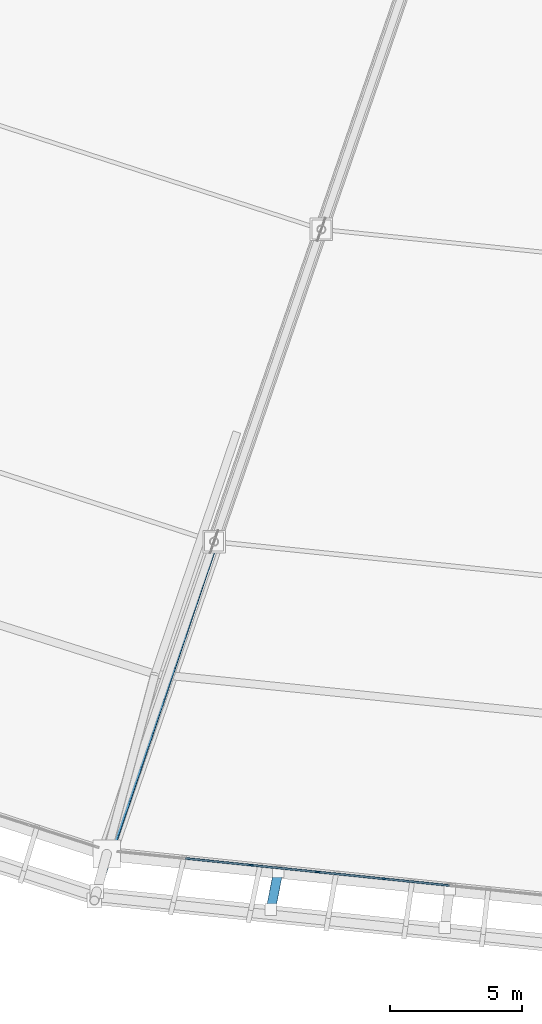
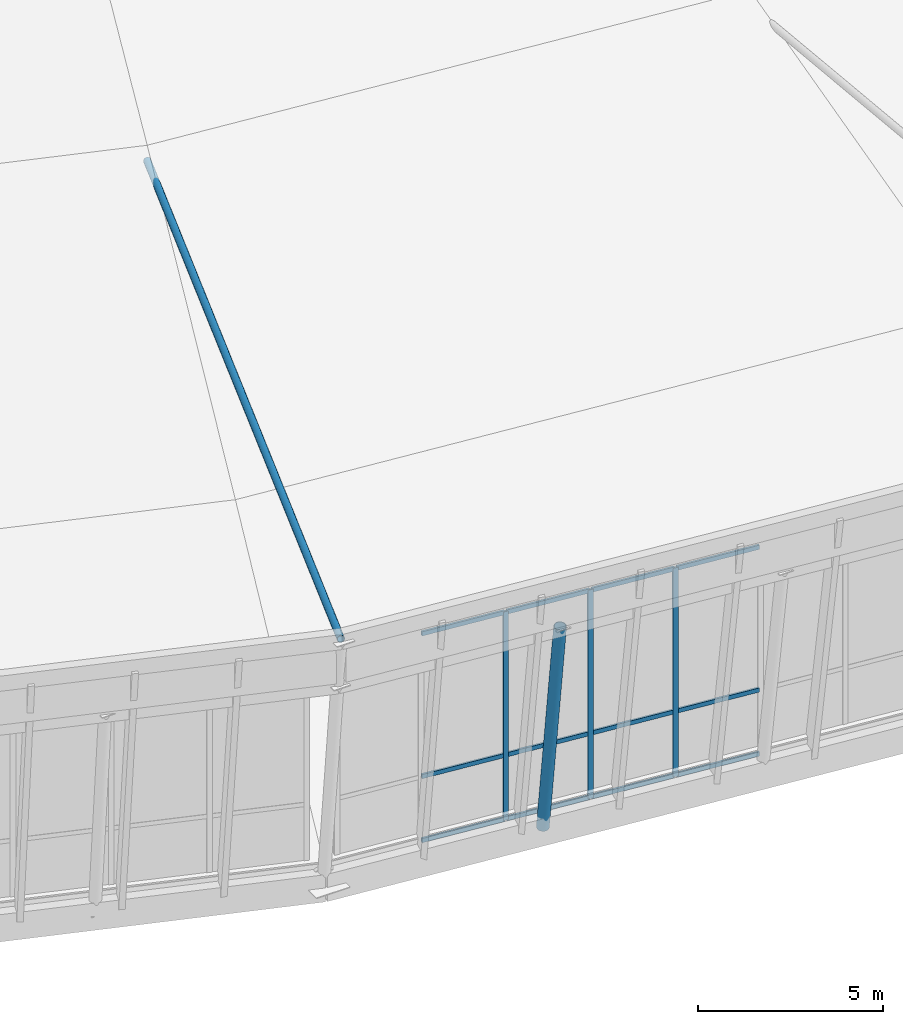
# One storey, part 13 of 115: 17 members, 1 element without a shape of its own.
"""IFC4 building model written with IfcOpenShell, lengths in metres."""

from ifc_helpers import new_model, si_unit, direction, frame, origin, origin_2d, place, context, subcontext, project, spatial, rectangle, hollow_circle, extrude, material, material_profile, profile_set, type_object, element, aggregate, save


model = new_model("IFC4")

# Units and contexts
model_context = context("Model", 3, precision=1e-05, world=origin(), true_north=direction((0.0, 1.0)))
body_context = subcontext(model_context, "Body", "Model", "MODEL_VIEW")
ifc_project = project(units=[si_unit("LENGTHUNIT", "METRE"), si_unit("AREAUNIT", "SQUARE_METRE"), si_unit("VOLUMEUNIT", "CUBIC_METRE"), si_unit("PLANEANGLEUNIT", "RADIAN"), si_unit("MASSUNIT", "GRAM", prefix="KILO")], contexts=[model_context])

# Site, building, storey
site_placement = place(None, origin())
site = spatial("IfcSite", under=ifc_project, at=site_placement, CompositionType="ELEMENT")
building_placement = place(site_placement, origin())
building = spatial("IfcBuilding", under=site, at=building_placement, Name="Zlatoyarsky Gate Stadium", CompositionType="ELEMENT")
storey_placement = place(building_placement, frame((0.0, 0.0, 31.800048828125)))
storey = spatial("IfcBuildingStorey", under=building, at=storey_placement, Name="RF", CompositionType="ELEMENT", Elevation=31.800048828125)

# Curtain wall, members
ifc_material_1 = material(Name="Thermally broken anodised aluminium curtain wall", Category="aluminium")
curtain_wall_type = type_object("IfcCurtainWallType", Name="UNITISED SKYBOX RING GLAZING L05", PredefinedType="USERDEFINED", material=ifc_material_1)
curtain_wall_placement = place(storey_placement, origin())
curtain_wall = element("IfcCurtainWall", 1, at=curtain_wall_placement, inside=storey, type_object=curtain_wall_type, Name="Curtain wall CW-RF-17", ObjectType="UNITISED GLAZING", PredefinedType="USERDEFINED")
ifc_material_2 = material(Name="Anodised aluminium 6063-T6", Category="aluminium")
ifc_material_profile_1 = material_profile(ifc_material_2, rectangle(XDim=0.06494140625, YDim=0.159912109375, at=origin_2d()), Name="ALU 65X160")
ifc_profile_set_1 = profile_set([ifc_material_profile_1], Name="Anodised aluminium 6063-T6")
member_type_1 = type_object("IfcMemberType", Name="ALUMINIUM MULLION 65X160", PredefinedType="MULLION", material=ifc_profile_set_1)
member_1_placement = place(storey_placement, frame((90.556396484375, 4.211181640625, 0.0), z_axis=(0.0, 0.0, 1.0), x_axis=(0.102125168703, 0.994771556649, 0.0)))
member_1 = element("IfcMember", 2, at=member_1_placement, type_object=member_type_1, Name="CW-UG5 mullion 3", PredefinedType="MULLION", context=body_context, shape_type="SweptSolid", body=[
    extrude(rectangle(XDim=0.06494140625, YDim=0.159912109375, at=origin_2d()), origin(), (0.0, 0.0, 1.0), 6.89990234375),
])
member_2_placement = place(storey_placement, frame((93.062255859375, 3.953857421875, 0.0), z_axis=(0.0, 0.0, 1.0), x_axis=(0.102125168703, 0.994771556649, 0.0)))
member_2 = element("IfcMember", 3, at=member_2_placement, type_object=member_type_1, Name="CW-UG5 mullion 4", PredefinedType="MULLION", context=body_context, shape_type="SweptSolid", body=[
    extrude(rectangle(XDim=0.06494140625, YDim=0.159912109375, at=origin_2d()), origin(), (0.0, 0.0, 1.0), 6.89990234375),
])
member_3_placement = place(storey_placement, frame((95.56787109375, 3.696533203125, 0.0), z_axis=(0.0, 0.0, 1.0), x_axis=(0.102125168703, 0.994771556649, 0.0)))
member_3 = element("IfcMember", 4, at=member_3_placement, type_object=member_type_1, Name="CW-UG5 mullion 5", PredefinedType="MULLION", context=body_context, shape_type="SweptSolid", body=[
    extrude(rectangle(XDim=0.06494140625, YDim=0.159912109375, at=origin_2d()), origin(), (0.0, 0.0, 1.0), 6.89990234375),
])
ifc_material_profile_2 = material_profile(ifc_material_2, rectangle(XDim=0.06494140625, YDim=0.139892578125, at=origin_2d()), Name="ALU 65X140")
ifc_profile_set_2 = profile_set([ifc_material_profile_2], Name="Anodised aluminium 6063-T6")
member_type_2 = type_object("IfcMemberType", Name="ALUMINIUM TRANSOM 65X140", PredefinedType="USERDEFINED", material=ifc_profile_set_2)
member_4_placement = place(storey_placement, frame((88.083251953125, 4.465087890625, 0.032470703125), z_axis=(0.994765631546, -0.102182866933, 0.0), x_axis=(0.102182866933, 0.994765631546, 0.0)))
member_4 = element("IfcMember", 5, at=member_4_placement, type_object=member_type_2, Name="CW-UG5 transom 2.1", ObjectType="TRANSOM", PredefinedType="USERDEFINED", context=body_context, shape_type="SweptSolid", body=[
    extrude(rectangle(XDim=0.06494140625, YDim=0.139892578125, at=origin_2d()), origin(), (0.0, 0.0, 1.0), 2.453857421875),
])
member_5_placement = place(storey_placement, frame((88.083251953125, 4.465087890625, 2.14990234375), z_axis=(0.994765631546, -0.102182866933, 0.0), x_axis=(0.102182866933, 0.994765631546, 0.0)))
member_5 = element("IfcMember", 6, at=member_5_placement, type_object=member_type_2, Name="CW-UG5 transom 2.2", ObjectType="TRANSOM", PredefinedType="USERDEFINED", context=body_context, shape_type="SweptSolid", body=[
    extrude(rectangle(XDim=0.06494140625, YDim=0.139892578125, at=origin_2d()), origin(), (0.0, 0.0, 1.0), 2.453857421875),
])
member_6_placement = place(storey_placement, frame((88.083251953125, 4.465087890625, 6.867431640625), z_axis=(0.994765631546, -0.102182866933, 0.0), x_axis=(0.102182866933, 0.994765631546, 0.0)))
member_6 = element("IfcMember", 7, at=member_6_placement, type_object=member_type_2, Name="CW-UG5 transom 2.3", ObjectType="TRANSOM", PredefinedType="USERDEFINED", context=body_context, shape_type="SweptSolid", body=[
    extrude(rectangle(XDim=0.06494140625, YDim=0.139892578125, at=origin_2d()), origin(), (0.0, 0.0, 1.0), 2.453857421875),
])
member_7_placement = place(storey_placement, frame((90.5888671875, 4.207763671875, 0.032470703125), z_axis=(0.994775740393, -0.102084407846, 0.0), x_axis=(0.102084407846, 0.994775740393, 0.0)))
member_7 = element("IfcMember", 8, at=member_7_placement, type_object=member_type_2, Name="CW-UG5 transom 3.1", ObjectType="TRANSOM", PredefinedType="USERDEFINED", context=body_context, shape_type="SweptSolid", body=[
    extrude(rectangle(XDim=0.06494140625, YDim=0.139892578125, at=origin_2d()), origin(), (0.0, 0.0, 1.0), 2.453857421875),
])
member_8_placement = place(storey_placement, frame((90.5888671875, 4.207763671875, 2.14990234375), z_axis=(0.994775740393, -0.102084407846, 0.0), x_axis=(0.102084407846, 0.994775740393, 0.0)))
member_8 = element("IfcMember", 9, at=member_8_placement, type_object=member_type_2, Name="CW-UG5 transom 3.2", ObjectType="TRANSOM", PredefinedType="USERDEFINED", context=body_context, shape_type="SweptSolid", body=[
    extrude(rectangle(XDim=0.06494140625, YDim=0.139892578125, at=origin_2d()), origin(), (0.0, 0.0, 1.0), 2.453857421875),
])
member_9_placement = place(storey_placement, frame((90.5888671875, 4.207763671875, 6.867431640625), z_axis=(0.994775740393, -0.102084407846, 0.0), x_axis=(0.102084407846, 0.994775740393, 0.0)))
member_9 = element("IfcMember", 10, at=member_9_placement, type_object=member_type_2, Name="CW-UG5 transom 3.3", ObjectType="TRANSOM", PredefinedType="USERDEFINED", context=body_context, shape_type="SweptSolid", body=[
    extrude(rectangle(XDim=0.06494140625, YDim=0.139892578125, at=origin_2d()), origin(), (0.0, 0.0, 1.0), 2.453857421875),
])
member_10_placement = place(storey_placement, frame((93.094482421875, 3.950439453125, 0.032470703125), z_axis=(0.994776777125, -0.102074304763, 0.0), x_axis=(0.102074304763, 0.994776777125, 0.0)))
member_10 = element("IfcMember", 11, at=member_10_placement, type_object=member_type_2, Name="CW-UG5 transom 4.1", ObjectType="TRANSOM", PredefinedType="USERDEFINED", context=body_context, shape_type="SweptSolid", body=[
    extrude(rectangle(XDim=0.06494140625, YDim=0.139892578125, at=origin_2d()), origin(), (0.0, 0.0, 1.0), 2.4541015625),
])
member_11_placement = place(storey_placement, frame((93.094482421875, 3.950439453125, 2.14990234375), z_axis=(0.994776777125, -0.102074304763, 0.0), x_axis=(0.102074304763, 0.994776777125, 0.0)))
member_11 = element("IfcMember", 12, at=member_11_placement, type_object=member_type_2, Name="CW-UG5 transom 4.2", ObjectType="TRANSOM", PredefinedType="USERDEFINED", context=body_context, shape_type="SweptSolid", body=[
    extrude(rectangle(XDim=0.06494140625, YDim=0.139892578125, at=origin_2d()), origin(), (0.0, 0.0, 1.0), 2.4541015625),
])
member_12_placement = place(storey_placement, frame((93.094482421875, 3.950439453125, 6.867431640625), z_axis=(0.994776777125, -0.102074304763, 0.0), x_axis=(0.102074304763, 0.994776777125, 0.0)))
member_12 = element("IfcMember", 13, at=member_12_placement, type_object=member_type_2, Name="CW-UG5 transom 4.3", ObjectType="TRANSOM", PredefinedType="USERDEFINED", context=body_context, shape_type="SweptSolid", body=[
    extrude(rectangle(XDim=0.06494140625, YDim=0.139892578125, at=origin_2d()), origin(), (0.0, 0.0, 1.0), 2.4541015625),
])
member_13_placement = place(storey_placement, frame((95.600341796875, 3.693359375, 0.032470703125), z_axis=(0.994765631546, -0.102182866933, 0.0), x_axis=(0.102182866933, 0.994765631546, 0.0)))
member_13 = element("IfcMember", 14, at=member_13_placement, type_object=member_type_2, Name="CW-UG5 transom 5.1", ObjectType="TRANSOM", PredefinedType="USERDEFINED", context=body_context, shape_type="SweptSolid", body=[
    extrude(rectangle(XDim=0.06494140625, YDim=0.139892578125, at=origin_2d()), origin(), (0.0, 0.0, 1.0), 2.453857421875),
])
member_14_placement = place(storey_placement, frame((95.600341796875, 3.693359375, 2.14990234375), z_axis=(0.994765631546, -0.102182866933, 0.0), x_axis=(0.102182866933, 0.994765631546, 0.0)))
member_14 = element("IfcMember", 15, at=member_14_placement, type_object=member_type_2, Name="CW-UG5 transom 5.2", ObjectType="TRANSOM", PredefinedType="USERDEFINED", context=body_context, shape_type="SweptSolid", body=[
    extrude(rectangle(XDim=0.06494140625, YDim=0.139892578125, at=origin_2d()), origin(), (0.0, 0.0, 1.0), 2.453857421875),
])
member_15_placement = place(storey_placement, frame((95.600341796875, 3.693359375, 6.867431640625), z_axis=(0.994765631546, -0.102182866933, 0.0), x_axis=(0.102182866933, 0.994765631546, 0.0)))
member_15 = element("IfcMember", 16, at=member_15_placement, type_object=member_type_2, Name="CW-UG5 transom 5.3", ObjectType="TRANSOM", PredefinedType="USERDEFINED", context=body_context, shape_type="SweptSolid", body=[
    extrude(rectangle(XDim=0.06494140625, YDim=0.139892578125, at=origin_2d()), origin(), (0.0, 0.0, 1.0), 2.453857421875),
])
aggregate(curtain_wall, [member_1, member_2, member_3, member_4, member_5, member_6, member_7, member_8, member_9, member_10, member_11, member_12, member_13, member_14, member_15])

# Members
ifc_material_3 = material(Name="Steel S355", Category="steel")
ifc_material_profile_3 = material_profile(ifc_material_3, hollow_circle(Radius=0.109619140625, WallThickness=0.012451171875, at=origin_2d()), Name="CHS 219.1X12.5")
ifc_profile_set_3 = profile_set([ifc_material_profile_3], Name="Steel S355")
member_type_3 = type_object("IfcMemberType", Name="STEEL CANOPY WIND BRACE CHS 219.1X12.5", PredefinedType="BRACE", material=ifc_profile_set_3)
member_16_placement = place(storey_placement, frame((84.640869140625, 2.87646484375, 8.849853515625), z_axis=(0.318976741373, 0.942996861973, -0.094925006038), x_axis=(-0.947274349004, 0.320423637889, 0.0)))
element("IfcMember", 17, at=member_16_placement, inside=storey, type_object=member_type_3, Name="Crown fascia tie brace 17", PredefinedType="BRACE", context=body_context, shape_type="SweptSolid", body=[
    extrude(hollow_circle(Radius=0.109619140625, WallThickness=0.012451171875, at=origin_2d()), origin(), (0.0, 0.0, 1.0), 26.861328125),
])
ifc_material_profile_4 = material_profile(ifc_material_3, hollow_circle(Radius=0.177734375, WallThickness=0.02001953125, at=origin_2d()), Name="CHS 355.6X20")
ifc_profile_set_4 = profile_set([ifc_material_profile_4], Name="Steel S355")
member_type_4 = type_object("IfcMemberType", Name="STEEL LEANING RIB RING STRUT CHS 355.6X20", PredefinedType="STRUT", material=ifc_profile_set_4)
member_17_placement = place(storey_placement, frame((91.583251953125, 3.96630859375, -0.449951171875), z_axis=(-0.036817494785, -0.184813097216, 0.982083800485), x_axis=(0.980728495703, -0.195375581168, 0.0)))
element("IfcMember", 18, at=member_17_placement, inside=storey, type_object=member_type_4, Name="Outward-leaning bowl louvre fin rib RF 17-1", PredefinedType="STRUT", context=body_context, shape_type="SweptSolid", body=[
    extrude(hollow_circle(Radius=0.177734375, WallThickness=0.02001953125, at=origin_2d()), origin(), (0.0, 0.0, 1.0), 7.738525390625),
])

save(model, "model.ifc")
